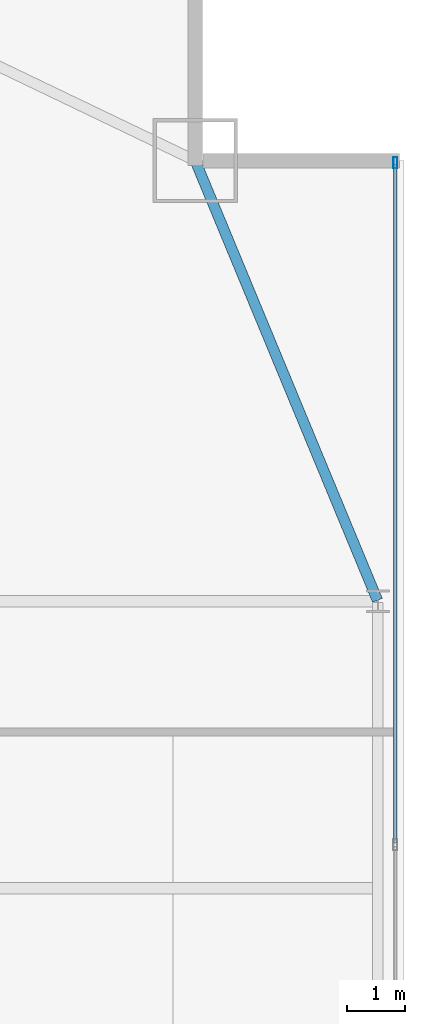
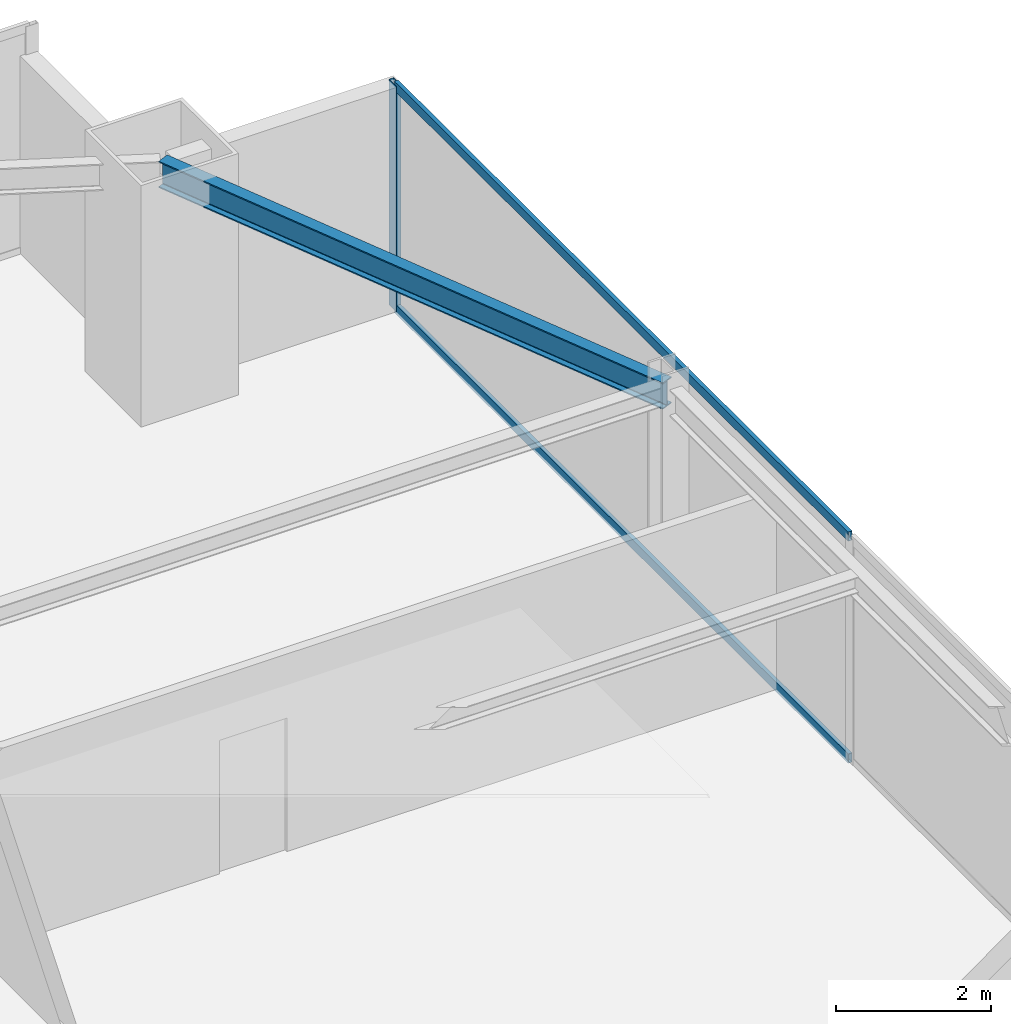
# One storey, part 24 of 33: 3 members, 1 beam, 1 element without a shape of its own.
"""IFC4 building model written with IfcOpenShell, lengths in metres."""

from ifc_helpers import new_model, si_unit, direction, frame, origin, origin_2d, place, context, subcontext, project, spatial, hollow_rectangle, i_section, extrude, source, transform, mapped, material, layer, layer_set, material_profile, profile_set, type_object, type_shapes, element, aggregate, save


model = new_model("IFC4")

# Units and contexts
model_context = context("Model", 3, precision=1e-05, world=origin(), true_north=direction((0.0, 1.0)))
body_context = subcontext(model_context, "Body", "Model", "MODEL_VIEW")
ifc_project = project(units=[si_unit("LENGTHUNIT", "METRE"), si_unit("AREAUNIT", "SQUARE_METRE"), si_unit("VOLUMEUNIT", "CUBIC_METRE"), si_unit("PLANEANGLEUNIT", "RADIAN"), si_unit("MASSUNIT", "GRAM", prefix="KILO")], contexts=[model_context])

# Site, building, storey
site_placement = place(None, origin())
site = spatial("IfcSite", under=ifc_project, at=site_placement, CompositionType="ELEMENT")
building_placement = place(site_placement, origin())
building = spatial("IfcBuilding", under=site, at=building_placement, Name="Varnel Quay Broadcast Tower", CompositionType="ELEMENT")
storey_placement = place(building_placement, frame((0.0, 0.0, 129.60009765625)))
storey = spatial("IfcBuildingStorey", under=building, at=storey_placement, Name="L31", CompositionType="ELEMENT", Elevation=129.60009765625)

# Beam
ifc_material_1 = material(Name="Structural Steel CSA G40.21 350W", Category="steel")
ifc_material_profile_1 = material_profile(ifc_material_1, i_section(OverallWidth=0.180908203125, OverallDepth=0.4169921875, WebThickness=0.010986328125, FlangeThickness=0.018310546875, FilletRadius=0.011962890625, at=origin_2d()), Name="W410X85")
ifc_profile_set_1 = profile_set([ifc_material_profile_1], Name="Structural Steel CSA G40.21 350W")
beam_type = type_object("IfcBeamType", Name="Beam_W410X85", PredefinedType="SPANDREL", material=ifc_profile_set_1)
shared_shape_1 = source(origin(), body_context, "Body", "SweptSolid", [
    extrude(i_section(OverallWidth=0.180908203125, OverallDepth=0.4169921875, WebThickness=0.010986328125, FlangeThickness=0.018310546875, FilletRadius=0.011962890625, at=origin_2d()), origin(), (0.0, 0.0, 1.0), 8.186767578125),
])
type_shapes(beam_type, [shared_shape_1])
beam_placement = place(storey_placement, frame((63.042236328125, 35.618408203125, 3.34130859375), z_axis=(-0.382874132092, 0.923800519038, 0.0), x_axis=(-0.923800519038, -0.382874132092, 0.0)))
element("IfcBeam", 1, at=beam_placement, inside=storey, type_object=beam_type, Name="L31 East Spandrel TC-E3-MC-NE", PredefinedType="SPANDREL", context=body_context, shape_type="MappedRepresentation", body=[
    mapped(shared_shape_1, transform((0.0, 0.0, 0.0), x_axis=(1.0, 0.0, 0.0), y_axis=(0.0, 1.0, 0.0), z_axis=(0.0, 0.0, 1.0), scale=1.0)),
])

# Curtain wall, members
ifc_material_2 = material(Name="Anodised Bronze Aluminium 6063-T6", Category="aluminium")
ifc_layer = layer(ifc_material_2, 0.18994140625, Name="Anodised Bronze Aluminium 6063-T6")
ifc_layer_set = layer_set([ifc_layer], Name="Anodised Bronze Aluminium 6063-T6")
curtain_wall_type = type_object("IfcCurtainWallType", Name="CW_LowerTower", PredefinedType="NOTDEFINED", material=ifc_layer_set)
curtain_wall_placement = place(storey_placement, origin())
curtain_wall = element("IfcCurtainWall", 2, at=curtain_wall_placement, inside=storey, type_object=curtain_wall_type, Name="L31 East Unitised Curtain Wall", PredefinedType="NOTDEFINED")
ifc_material_profile_2 = material_profile(ifc_material_2, hollow_rectangle(XDim=0.06005859375, YDim=0.14501953125, WallThickness=0.00341796875, at=origin_2d()), Name="ALU60X145X3.5")
ifc_profile_set_2 = profile_set([ifc_material_profile_2], Name="Anodised Bronze Aluminium 6063-T6")
member_type_1 = type_object("IfcMemberType", Name="Tran_CWS-02", PredefinedType="USERDEFINED", material=ifc_profile_set_2)
shared_shape_2 = source(origin(), body_context, "Body", "SweptSolid", [
    extrude(hollow_rectangle(XDim=0.06005859375, YDim=0.14501953125, WallThickness=0.00341796875, at=origin_2d()), origin(), (0.0, 0.0, 1.0), 11.69482421875),
])
type_shapes(member_type_1, [shared_shape_2])
member_1_placement = place(storey_placement, frame((63.35009765625, 31.43505859375, 0.02978515625), z_axis=(0.0, 1.0, 0.0), x_axis=(-1.0, 0.0, 0.0)))
member_1 = element("IfcMember", 3, at=member_1_placement, type_object=member_type_1, Name="CWS-02 transom 3.1", ObjectType="TRANSOM", PredefinedType="USERDEFINED", context=body_context, shape_type="MappedRepresentation", body=[
    mapped(shared_shape_2, transform((0.0, 0.0, 0.0), x_axis=(1.0, 0.0, 0.0), y_axis=(0.0, 1.0, 0.0), z_axis=(0.0, 0.0, 1.0), scale=1.0)),
])
member_2_placement = place(storey_placement, frame((63.35009765625, 31.43505859375, 3.52001953125), z_axis=(0.0, 1.0, 0.0), x_axis=(-1.0, 0.0, 0.0)))
member_2 = element("IfcMember", 4, at=member_2_placement, type_object=member_type_1, Name="CWS-02 transom 3.2", ObjectType="TRANSOM", PredefinedType="USERDEFINED", context=body_context, shape_type="MappedRepresentation", body=[
    mapped(shared_shape_2, transform((0.0, 0.0, 0.0), x_axis=(1.0, 0.0, 0.0), y_axis=(0.0, 1.0, 0.0), z_axis=(0.0, 0.0, 1.0), scale=1.0)),
])
ifc_material_profile_3 = material_profile(ifc_material_2, hollow_rectangle(XDim=0.070068359375, YDim=0.18994140625, WallThickness=0.00390625, at=origin_2d()), Name="ALU70X190X4")
ifc_profile_set_3 = profile_set([ifc_material_profile_3], Name="Anodised Bronze Aluminium 6063-T6")
member_type_2 = type_object("IfcMemberType", Name="Mull_CWS-02", PredefinedType="MULLION", material=ifc_profile_set_3)
shared_shape_3 = source(origin(), body_context, "Body", "SweptSolid", [
    extrude(hollow_rectangle(XDim=0.070068359375, YDim=0.18994140625, WallThickness=0.00390625, at=origin_2d()), origin(), (0.0, 0.0, 1.0), 3.5498046875),
])
type_shapes(member_type_2, [shared_shape_3])
member_3_placement = place(storey_placement, frame((63.35009765625, 43.1650390625, 0.0), z_axis=(0.0, 0.0, 1.0), x_axis=(-1.0, 0.0, 0.0)))
member_3 = element("IfcMember", 5, at=member_3_placement, type_object=member_type_2, Name="CWS-02 mullion 4", PredefinedType="MULLION", context=body_context, shape_type="MappedRepresentation", body=[
    mapped(shared_shape_3, transform((0.0, 0.0, 0.0), x_axis=(1.0, 0.0, 0.0), y_axis=(0.0, 1.0, 0.0), z_axis=(0.0, 0.0, 1.0), scale=1.0)),
])
aggregate(curtain_wall, [member_3, member_1, member_2])

save(model, "model.ifc")
